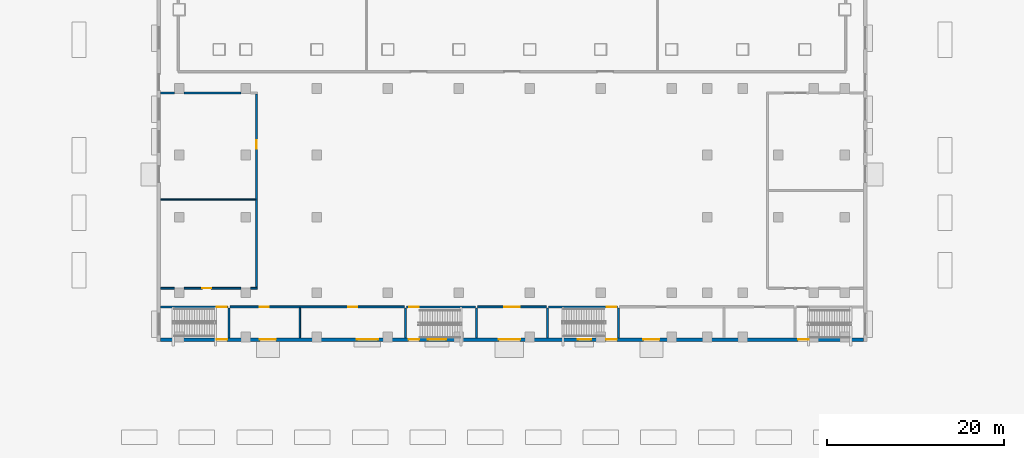
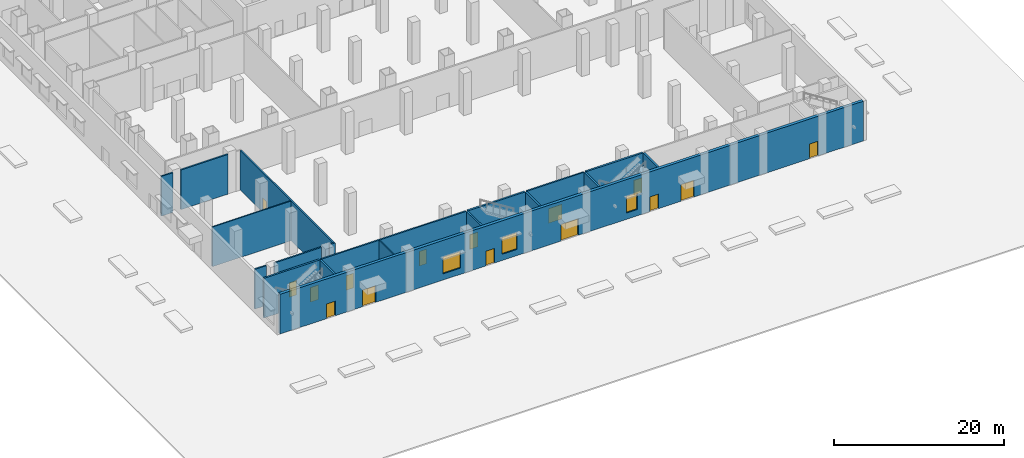
# One storey, part 3 of 18: 19 walls, 15 doors, 3 windows, 18 openings.
"""IFC4 building model written with IfcOpenShell, lengths in metres."""

from ifc_helpers import new_model, si_unit, direction, frame, frame_2d, origin, place, context, subcontext, project, spatial, rectangle, extrude, material, layer, layer_set, type_object, element, fill, save


model = new_model("IFC4")

# Units and contexts
model_context = context("Model", 3, precision=1e-05, world=origin(), true_north=direction((0.0, 1.0)))
body_context = subcontext(model_context, "Body", "Model", "MODEL_VIEW")
ifc_project = project(units=[si_unit("LENGTHUNIT", "METRE"), si_unit("AREAUNIT", "SQUARE_METRE"), si_unit("VOLUMEUNIT", "CUBIC_METRE"), si_unit("PLANEANGLEUNIT", "RADIAN"), si_unit("MASSUNIT", "GRAM", prefix="KILO")], contexts=[model_context])

# Site, building, storey
site_placement = place(None, origin())
site = spatial("IfcSite", under=ifc_project, at=site_placement, CompositionType="ELEMENT")
building_placement = place(site_placement, origin())
building = spatial("IfcBuilding", under=site, at=building_placement, Name="Vidyagriha Tower", CompositionType="ELEMENT")
storey_placement = place(building_placement, origin())
storey = spatial("IfcBuildingStorey", under=building, at=storey_placement, Name="L00", CompositionType="ELEMENT", Elevation=0.0)

# Wall, openings, doors, windows
ifc_material_1 = material(Name="Concrete C40/50 board-marked with brick facing", Category="concrete")
ifc_layer_1 = layer(ifc_material_1, 0.39990234375)
ifc_layer_set_1 = layer_set([ifc_layer_1], Name="Concrete C40/50 board-marked with brick facing")
wall_type_1 = type_object("IfcWallType", Name="Brick-faced board-marked concrete podium wall 400", PredefinedType="STANDARD", material=ifc_layer_set_1)
wall_1_placement = place(storey_placement, frame((-39.60009765625, -49.800048828125, 0.0)))
wall_1 = element("IfcWall", 1, at=wall_1_placement, inside=storey, type_object=wall_type_1, Name="Podium wall L00 R06", PredefinedType="STANDARD", context=body_context, shape_type="SweptSolid", body=[
    extrude(rectangle(XDim=79.2001953125, YDim=0.39990234375, at=frame_2d((39.60009765625, 0.0))), origin(), (0.0, 0.0, 1.0), 5.699951171875),
])
opening_1_placement = place(wall_1_placement, frame((11.199951171875, 0.0, 0.0)))
opening_1 = element("IfcOpeningElement", 2, at=opening_1_placement, cuts=wall_1, Name="Opening D00-05", PredefinedType="OPENING", context=body_context, shape_type="SweptSolid", body=[
    extrude(rectangle(XDim=1.800048828125, YDim=2.39990234375, at=frame_2d((0.89990234375, 1.199951171875))), frame((0.0, 0.2099609375, 0.0), z_axis=(0.0, -1.0, 0.0), x_axis=(1.0, 0.0, 0.0)), (0.0, 0.0, 1.0), 0.419921875),
])
opening_2_placement = place(wall_1_placement, frame((38.110107421875, 0.0, 0.0)))
opening_2 = element("IfcOpeningElement", 3, at=opening_2_placement, cuts=wall_1, Name="Opening D00-06", PredefinedType="OPENING", context=body_context, shape_type="SweptSolid", body=[
    extrude(rectangle(XDim=2.39990234375, YDim=2.39990234375, at=frame_2d((1.199951171875, 1.199951171875))), frame((0.0, 0.2099609375, 0.0), z_axis=(0.0, -1.0, 0.0), x_axis=(1.0, 0.0, 0.0)), (0.0, 0.0, 1.0), 0.419921875),
])
opening_3_placement = place(wall_1_placement, frame((54.409912109375, 0.0, 0.0)))
opening_3 = element("IfcOpeningElement", 4, at=opening_3_placement, cuts=wall_1, Name="Opening D00-07", PredefinedType="OPENING", context=body_context, shape_type="SweptSolid", body=[
    extrude(rectangle(XDim=1.800048828125, YDim=2.39990234375, at=frame_2d((0.89990234375, 1.199951171875))), frame((0.0, 0.2099609375, 0.0), z_axis=(0.0, -1.0, 0.0), x_axis=(1.0, 0.0, 0.0)), (0.0, 0.0, 1.0), 0.419921875),
])
opening_4_placement = place(wall_1_placement, frame((22.110107421875, 0.0, 0.89990234375)))
opening_4 = element("IfcOpeningElement", 5, at=opening_4_placement, cuts=wall_1, Name="Opening WN4", PredefinedType="OPENING", context=body_context, shape_type="SweptSolid", body=[
    extrude(rectangle(XDim=2.39990234375, YDim=2.39990234375, at=frame_2d((1.199951171875, 1.199951171875))), frame((0.0, 0.2099609375, 0.0), z_axis=(0.0, -1.0, 0.0), x_axis=(1.0, 0.0, 0.0)), (0.0, 0.0, 1.0), 0.419921875),
])
opening_5_placement = place(wall_1_placement, frame((30.110107421875, 0.0, 0.89990234375)))
opening_5 = element("IfcOpeningElement", 6, at=opening_5_placement, cuts=wall_1, Name="Opening WN5", PredefinedType="OPENING", context=body_context, shape_type="SweptSolid", body=[
    extrude(rectangle(XDim=2.074951171875, YDim=2.39990234375, at=frame_2d((1.03759765625, 1.199951171875))), frame((0.0, 0.2099609375, 0.0), z_axis=(0.0, -1.0, 0.0), x_axis=(1.0, 0.0, 0.0)), (0.0, 0.0, 1.0), 0.419921875),
])
opening_6_placement = place(wall_1_placement, frame((47.014892578125, 0.0, 0.89990234375)))
opening_6 = element("IfcOpeningElement", 7, at=opening_6_placement, cuts=wall_1, Name="Opening WN6", PredefinedType="OPENING", context=body_context, shape_type="SweptSolid", body=[
    extrude(rectangle(XDim=1.4951171875, YDim=2.39990234375, at=frame_2d((0.74755859375, 1.199951171875))), frame((0.0, 0.2099609375, 0.0), z_axis=(0.0, -1.0, 0.0), x_axis=(1.0, 0.0, 0.0)), (0.0, 0.0, 1.0), 0.419921875),
])
opening_7_placement = place(wall_1_placement, frame((6.304931640625, 0.0, 0.0)))
opening_7 = element("IfcOpeningElement", 8, at=opening_7_placement, cuts=wall_1, Name="Opening D00-62", PredefinedType="OPENING", context=body_context, shape_type="SweptSolid", body=[
    extrude(rectangle(XDim=1.199951171875, YDim=2.10009765625, at=frame_2d((0.60009765625, 1.050048828125))), frame((0.0, 0.2099609375, 0.0), z_axis=(0.0, -1.0, 0.0), x_axis=(1.0, 0.0, 0.0)), (0.0, 0.0, 1.0), 0.419921875),
])
opening_8_placement = place(wall_1_placement, frame((71.844970703125, 0.0, 0.0)))
opening_8 = element("IfcOpeningElement", 9, at=opening_8_placement, cuts=wall_1, Name="Opening D00-63", PredefinedType="OPENING", context=body_context, shape_type="SweptSolid", body=[
    extrude(rectangle(XDim=1.199951171875, YDim=2.10009765625, at=frame_2d((0.60009765625, 1.050048828125))), frame((0.0, 0.2099609375, 0.0), z_axis=(0.0, -1.0, 0.0), x_axis=(1.0, 0.0, 0.0)), (0.0, 0.0, 1.0), 0.419921875),
])
opening_9_placement = place(wall_1_placement, frame((27.945068359375, 0.0, 0.0)))
opening_9 = element("IfcOpeningElement", 10, at=opening_9_placement, cuts=wall_1, Name="Opening D00-64", PredefinedType="OPENING", context=body_context, shape_type="SweptSolid", body=[
    extrude(rectangle(XDim=1.199951171875, YDim=2.10009765625, at=frame_2d((0.60009765625, 1.050048828125))), frame((0.0, 0.2099609375, 0.0), z_axis=(0.0, -1.0, 0.0), x_axis=(1.0, 0.0, 0.0)), (0.0, 0.0, 1.0), 0.419921875),
])
opening_10_placement = place(wall_1_placement, frame((50.205078125, 0.0, 0.0)))
opening_10 = element("IfcOpeningElement", 11, at=opening_10_placement, cuts=wall_1, Name="Opening D00-65", PredefinedType="OPENING", context=body_context, shape_type="SweptSolid", body=[
    extrude(rectangle(XDim=1.199951171875, YDim=2.10009765625, at=frame_2d((0.60009765625, 1.050048828125))), frame((0.0, 0.2099609375, 0.0), z_axis=(0.0, -1.0, 0.0), x_axis=(1.0, 0.0, 0.0)), (0.0, 0.0, 1.0), 0.419921875),
])
ifc_material_2 = material(Name="Aluminium and glass door", Category="aluminium")
door_type_1 = type_object("IfcDoorType", Name="Entrance double leaf glazed door 1800x2400", OperationType="NOTDEFINED", PredefinedType="DOOR", material=ifc_material_2)
door_1_placement = place(opening_1_placement, frame((1.800048828125, 0.0, 0.0), z_axis=(0.0, 0.0, 1.0), x_axis=(-1.0, 0.0, 0.0)))
door_1 = element("IfcDoor", 12, at=door_1_placement, inside=storey, type_object=door_type_1, Name="School entrance D00-05", OperationType="DOUBLE_DOOR_SINGLE_SWING", OverallHeight=2.39990234375, OverallWidth=1.800048828125, PredefinedType="DOOR", context=body_context, shape_type="SweptSolid", body=[
    extrude(rectangle(XDim=1.800048828125, YDim=2.39990234375, at=frame_2d((0.89990234375, 1.199951171875))), frame((0.0, 0.02490234375, 0.0), z_axis=(0.0, -1.0, 0.0), x_axis=(1.0, 0.0, 0.0)), (0.0, 0.0, 1.0), 0.050048828125),
])
fill(opening_1, door_1)
door_2_placement = place(opening_3_placement, frame((1.800048828125, 0.0, 0.0), z_axis=(0.0, 0.0, 1.0), x_axis=(-1.0, 0.0, 0.0)))
door_2 = element("IfcDoor", 13, at=door_2_placement, inside=storey, type_object=door_type_1, Name="Family entrance D00-07", OperationType="DOUBLE_DOOR_SINGLE_SWING", OverallHeight=2.39990234375, OverallWidth=1.800048828125, PredefinedType="DOOR", context=body_context, shape_type="SweptSolid", body=[
    extrude(rectangle(XDim=1.800048828125, YDim=2.39990234375, at=frame_2d((0.89990234375, 1.199951171875))), frame((0.0, 0.02490234375, 0.0), z_axis=(0.0, -1.0, 0.0), x_axis=(1.0, 0.0, 0.0)), (0.0, 0.0, 1.0), 0.050048828125),
])
fill(opening_3, door_2)
ifc_material_3 = material(Name="Aluminium and glass door", Category="aluminium")
door_type_2 = type_object("IfcDoorType", Name="Entrance double leaf glazed door 2400x2400", OperationType="NOTDEFINED", PredefinedType="DOOR", material=ifc_material_3)
door_3_placement = place(opening_2_placement, frame((2.39990234375, 0.0, 0.0), z_axis=(0.0, 0.0, 1.0), x_axis=(-1.0, 0.0, 0.0)))
door_3 = element("IfcDoor", 14, at=door_3_placement, inside=storey, type_object=door_type_2, Name="Main entrance D00-06", OperationType="DOUBLE_DOOR_SINGLE_SWING", OverallHeight=2.39990234375, OverallWidth=2.39990234375, PredefinedType="DOOR", context=body_context, shape_type="SweptSolid", body=[
    extrude(rectangle(XDim=2.39990234375, YDim=2.39990234375, at=frame_2d((1.199951171875, 1.199951171875))), frame((0.0, 0.02490234375, 0.0), z_axis=(0.0, -1.0, 0.0), x_axis=(1.0, 0.0, 0.0)), (0.0, 0.0, 1.0), 0.050048828125),
])
fill(opening_2, door_3)
ifc_material_4 = material(Name="Aluminium and glass window", Category="aluminium")
window_type_1 = type_object("IfcWindowType", Name="Ground storey school window 1495x2400", PartitioningType="NOTDEFINED", PredefinedType="WINDOW", material=ifc_material_4)
window_1_placement = place(opening_6_placement, origin())
window_1 = element("IfcWindow", 15, at=window_1_placement, inside=storey, type_object=window_type_1, Name="School window L00 R06.26", OverallHeight=2.39990234375, OverallWidth=1.4951171875, PartitioningType="SINGLE_PANEL", PredefinedType="WINDOW", context=body_context, shape_type="SweptSolid", body=[
    extrude(rectangle(XDim=1.4951171875, YDim=2.39990234375, at=frame_2d((0.74755859375, 1.199951171875))), frame((0.0, 0.030029296875, 0.0), z_axis=(0.0, -1.0, 0.0), x_axis=(1.0, 0.0, 0.0)), (0.0, 0.0, 1.0), 0.06005859375),
])
fill(opening_6, window_1)
ifc_material_5 = material(Name="Aluminium and glass window", Category="aluminium")
window_type_2 = type_object("IfcWindowType", Name="Ground storey school window 2075x2400", PartitioningType="NOTDEFINED", PredefinedType="WINDOW", material=ifc_material_5)
window_2_placement = place(opening_5_placement, origin())
window_2 = element("IfcWindow", 16, at=window_2_placement, inside=storey, type_object=window_type_2, Name="School window L00 R06.18", OverallHeight=2.39990234375, OverallWidth=2.074951171875, PartitioningType="SINGLE_PANEL", PredefinedType="WINDOW", context=body_context, shape_type="SweptSolid", body=[
    extrude(rectangle(XDim=2.074951171875, YDim=2.39990234375, at=frame_2d((1.03759765625, 1.199951171875))), frame((0.0, 0.030029296875, 0.0), z_axis=(0.0, -1.0, 0.0), x_axis=(1.0, 0.0, 0.0)), (0.0, 0.0, 1.0), 0.06005859375),
])
fill(opening_5, window_2)
ifc_material_6 = material(Name="Aluminium and glass window", Category="aluminium")
window_type_3 = type_object("IfcWindowType", Name="Ground storey school window 2400x2400", PartitioningType="NOTDEFINED", PredefinedType="WINDOW", material=ifc_material_6)
window_3_placement = place(opening_4_placement, origin())
window_3 = element("IfcWindow", 17, at=window_3_placement, inside=storey, type_object=window_type_3, Name="School window L00 R06.14", OverallHeight=2.39990234375, OverallWidth=2.39990234375, PartitioningType="SINGLE_PANEL", PredefinedType="WINDOW", context=body_context, shape_type="SweptSolid", body=[
    extrude(rectangle(XDim=2.39990234375, YDim=2.39990234375, at=frame_2d((1.199951171875, 1.199951171875))), frame((0.0, 0.030029296875, 0.0), z_axis=(0.0, -1.0, 0.0), x_axis=(1.0, 0.0, 0.0)), (0.0, 0.0, 1.0), 0.06005859375),
])
fill(opening_4, window_3)
ifc_material_7 = material(Name="Steel fire door set", Category="steel")
door_type_3 = type_object("IfcDoorType", Name="Podium Door 1200x2100 EI 90", OperationType="NOTDEFINED", PredefinedType="DOOR", material=ifc_material_7)
door_4_placement = place(opening_7_placement, frame((1.199951171875, 0.0, 0.0), z_axis=(0.0, 0.0, 1.0), x_axis=(-1.0, 0.0, 0.0)))
door_4 = element("IfcDoor", 18, at=door_4_placement, inside=storey, type_object=door_type_3, Name="L00 Exit discharge PS1 D00-62", OperationType="SINGLE_SWING_LEFT", OverallHeight=2.10009765625, OverallWidth=1.199951171875, PredefinedType="DOOR", context=body_context, shape_type="SweptSolid", body=[
    extrude(rectangle(XDim=1.199951171875, YDim=2.10009765625, at=frame_2d((0.60009765625, 1.050048828125))), frame((0.0, 0.02490234375, 0.0), z_axis=(0.0, -1.0, 0.0), x_axis=(1.0, 0.0, 0.0)), (0.0, 0.0, 1.0), 0.050048828125),
])
fill(opening_7, door_4)
door_5_placement = place(opening_8_placement, frame((1.199951171875, 0.0, 0.0), z_axis=(0.0, 0.0, 1.0), x_axis=(-1.0, 0.0, 0.0)))
door_5 = element("IfcDoor", 19, at=door_5_placement, inside=storey, type_object=door_type_3, Name="L00 Exit discharge PS2 D00-63", OperationType="SINGLE_SWING_LEFT", OverallHeight=2.10009765625, OverallWidth=1.199951171875, PredefinedType="DOOR", context=body_context, shape_type="SweptSolid", body=[
    extrude(rectangle(XDim=1.199951171875, YDim=2.10009765625, at=frame_2d((0.60009765625, 1.050048828125))), frame((0.0, 0.02490234375, 0.0), z_axis=(0.0, -1.0, 0.0), x_axis=(1.0, 0.0, 0.0)), (0.0, 0.0, 1.0), 0.050048828125),
])
fill(opening_8, door_5)
door_6_placement = place(opening_9_placement, frame((1.199951171875, 0.0, 0.0), z_axis=(0.0, 0.0, 1.0), x_axis=(-1.0, 0.0, 0.0)))
door_6 = element("IfcDoor", 20, at=door_6_placement, inside=storey, type_object=door_type_3, Name="L00 Exit discharge PS3 D00-64", OperationType="SINGLE_SWING_LEFT", OverallHeight=2.10009765625, OverallWidth=1.199951171875, PredefinedType="DOOR", context=body_context, shape_type="SweptSolid", body=[
    extrude(rectangle(XDim=1.199951171875, YDim=2.10009765625, at=frame_2d((0.60009765625, 1.050048828125))), frame((0.0, 0.02490234375, 0.0), z_axis=(0.0, -1.0, 0.0), x_axis=(1.0, 0.0, 0.0)), (0.0, 0.0, 1.0), 0.050048828125),
])
fill(opening_9, door_6)
door_7_placement = place(opening_10_placement, frame((1.199951171875, 0.0, 0.0), z_axis=(0.0, 0.0, 1.0), x_axis=(-1.0, 0.0, 0.0)))
door_7 = element("IfcDoor", 21, at=door_7_placement, inside=storey, type_object=door_type_3, Name="L00 Exit discharge PS4 D00-65", OperationType="SINGLE_SWING_LEFT", OverallHeight=2.10009765625, OverallWidth=1.199951171875, PredefinedType="DOOR", context=body_context, shape_type="SweptSolid", body=[
    extrude(rectangle(XDim=1.199951171875, YDim=2.10009765625, at=frame_2d((0.60009765625, 1.050048828125))), frame((0.0, 0.02490234375, 0.0), z_axis=(0.0, -1.0, 0.0), x_axis=(1.0, 0.0, 0.0)), (0.0, 0.0, 1.0), 0.050048828125),
])
fill(opening_10, door_7)

# Wall, opening, door
ifc_material_8 = material(Name="Concrete C32/40", Category="concrete")
ifc_layer_2 = layer(ifc_material_8, 0.25)
ifc_layer_set_2 = layer_set([ifc_layer_2], Name="Concrete C32/40")
wall_type_2 = type_object("IfcWallType", Name="Concrete Stair Enclosure Wall 250", PredefinedType="SOLIDWALL", material=ifc_layer_set_2)
wall_2_placement = place(storey_placement, frame((-39.60009765625, -46.10009765625, 0.0)))
wall_2 = element("IfcWall", 22, at=wall_2_placement, inside=storey, type_object=wall_type_2, Name="L00 Concrete Stair Enclosure Wall 250 003", PredefinedType="SOLIDWALL", context=body_context, shape_type="SweptSolid", body=[
    extrude(rectangle(XDim=7.5751953125, YDim=0.25, at=frame_2d((3.78759765625, 0.0))), origin(), (0.0, 0.0, 1.0), 5.699951171875),
])
opening_11_placement = place(wall_2_placement, frame((6.35498046875, 0.0, 0.0)))
opening_11 = element("IfcOpeningElement", 23, at=opening_11_placement, cuts=wall_2, Name="Opening D00-58", PredefinedType="OPENING", context=body_context, shape_type="SweptSolid", body=[
    extrude(rectangle(XDim=1.10009765625, YDim=2.10009765625, at=frame_2d((0.550048828125, 1.050048828125))), frame((0.0, 0.135009765625, 0.0), z_axis=(0.0, -1.0, 0.0), x_axis=(1.0, 0.0, 0.0)), (0.0, 0.0, 1.0), 0.27001953125),
])
ifc_material_9 = material(Name="Steel fire door set", Category="steel")
door_type_4 = type_object("IfcDoorType", Name="Podium Door 1100x2100 EI 90", OperationType="NOTDEFINED", PredefinedType="DOOR", material=ifc_material_9)
door_8_placement = place(opening_11_placement, origin())
door_8 = element("IfcDoor", 24, at=door_8_placement, inside=storey, type_object=door_type_4, Name="L00 door D00-58", OperationType="SINGLE_SWING_RIGHT", OverallHeight=2.10009765625, OverallWidth=1.10009765625, PredefinedType="DOOR", context=body_context, shape_type="SweptSolid", body=[
    extrude(rectangle(XDim=1.10009765625, YDim=2.10009765625, at=frame_2d((0.550048828125, 1.050048828125))), frame((0.0, 0.02490234375, 0.0), z_axis=(0.0, -1.0, 0.0), x_axis=(1.0, 0.0, 0.0)), (0.0, 0.0, 1.0), 0.050048828125),
])
fill(opening_11, door_8)

wall_3_placement = place(storey_placement, frame((-11.875, -46.10009765625, 0.0)))
wall_3 = element("IfcWall", 25, at=wall_3_placement, inside=storey, type_object=wall_type_2, Name="L00 Concrete Stair Enclosure Wall 250 004", PredefinedType="SOLIDWALL", context=body_context, shape_type="SweptSolid", body=[
    extrude(rectangle(XDim=7.75, YDim=0.25, at=frame_2d((3.875, 0.0))), origin(), (0.0, 0.0, 1.0), 5.699951171875),
])
opening_12_placement = place(wall_3_placement, frame((0.27001953125, 0.0, 0.0)))
opening_12 = element("IfcOpeningElement", 26, at=opening_12_placement, cuts=wall_3, Name="Opening D00-60", PredefinedType="OPENING", context=body_context, shape_type="SweptSolid", body=[
    extrude(rectangle(XDim=1.10009765625, YDim=2.10009765625, at=frame_2d((0.550048828125, 1.050048828125))), frame((0.0, 0.135009765625, 0.0), z_axis=(0.0, -1.0, 0.0), x_axis=(1.0, 0.0, 0.0)), (0.0, 0.0, 1.0), 0.27001953125),
])
door_9_placement = place(opening_12_placement, origin())
door_9 = element("IfcDoor", 27, at=door_9_placement, inside=storey, type_object=door_type_4, Name="L00 door D00-60", OperationType="SINGLE_SWING_LEFT", OverallHeight=2.10009765625, OverallWidth=1.10009765625, PredefinedType="DOOR", context=body_context, shape_type="SweptSolid", body=[
    extrude(rectangle(XDim=1.10009765625, YDim=2.10009765625, at=frame_2d((0.550048828125, 1.050048828125))), frame((0.0, 0.02490234375, 0.0), z_axis=(0.0, -1.0, 0.0), x_axis=(1.0, 0.0, 0.0)), (0.0, 0.0, 1.0), 0.050048828125),
])
fill(opening_12, door_9)

wall_4_placement = place(storey_placement, frame((4.125, -46.10009765625, 0.0)))
wall_4 = element("IfcWall", 28, at=wall_4_placement, inside=storey, type_object=wall_type_2, Name="L00 Concrete Stair Enclosure Wall 250 005", PredefinedType="SOLIDWALL", context=body_context, shape_type="SweptSolid", body=[
    extrude(rectangle(XDim=7.75, YDim=0.25, at=frame_2d((3.875, 0.0))), origin(), (0.0, 0.0, 1.0), 5.699951171875),
])
opening_13_placement = place(wall_4_placement, frame((6.530029296875, 0.0, 0.0)))
opening_13 = element("IfcOpeningElement", 29, at=opening_13_placement, cuts=wall_4, Name="Opening D00-61", PredefinedType="OPENING", context=body_context, shape_type="SweptSolid", body=[
    extrude(rectangle(XDim=1.10009765625, YDim=2.10009765625, at=frame_2d((0.550048828125, 1.050048828125))), frame((0.0, 0.135009765625, 0.0), z_axis=(0.0, -1.0, 0.0), x_axis=(1.0, 0.0, 0.0)), (0.0, 0.0, 1.0), 0.27001953125),
])
door_10_placement = place(opening_13_placement, origin())
door_10 = element("IfcDoor", 30, at=door_10_placement, inside=storey, type_object=door_type_4, Name="L00 door D00-61", OperationType="SINGLE_SWING_RIGHT", OverallHeight=2.10009765625, OverallWidth=1.10009765625, PredefinedType="DOOR", context=body_context, shape_type="SweptSolid", body=[
    extrude(rectangle(XDim=1.10009765625, YDim=2.10009765625, at=frame_2d((0.550048828125, 1.050048828125))), frame((0.0, 0.02490234375, 0.0), z_axis=(0.0, -1.0, 0.0), x_axis=(1.0, 0.0, 0.0)), (0.0, 0.0, 1.0), 0.050048828125),
])
fill(opening_13, door_10)

# Walls
for number, where, z_axis, x_axis, name in (
    (31, (-31.89990234375, -49.60009765625, 0.0), (0.0, 0.0, 1.0), (0.0, 1.0, 0.0), "L00 Concrete Stair Enclosure Wall 250 051"),
    (32, (-12.0, -49.60009765625, 0.0), (0.0, 0.0, 1.0), (0.0, 1.0, 0.0), "L00 Concrete Stair Enclosure Wall 250 063"),
    (33, (-4.0, -49.60009765625, 0.0), (0.0, 0.0, 1.0), (0.0, 1.0, 0.0), "L00 Concrete Stair Enclosure Wall 250 064"),
    (34, (4.0, -49.60009765625, 0.0), (0.0, 0.0, 1.0), (0.0, 1.0, 0.0), "L00 Concrete Stair Enclosure Wall 250 065"),
    (35, (12.0, -49.60009765625, 0.0), (0.0, 0.0, 1.0), (0.0, 1.0, 0.0), "L00 Concrete Stair Enclosure Wall 250 066"),
):
    element("IfcWall", number, at=place(storey_placement, frame(where, z_axis=z_axis, x_axis=x_axis)), inside=storey, type_object=wall_type_2, Name=name, PredefinedType="SOLIDWALL", context=body_context, shape_type="SweptSolid", body=[
        extrude(rectangle(XDim=3.375, YDim=0.25, at=frame_2d((1.6875, 0.0))), origin(), (0.0, 0.0, 1.0), 5.699951171875),
    ])

# Wall, openings, doors
ifc_material_10 = material(Name="Fire rated gypsum board on light gauge framing")
ifc_layer_3 = layer(ifc_material_10, 0.199951171875)
ifc_layer_set_3 = layer_set([ifc_layer_3], Name="Fire rated gypsum board on light gauge framing")
wall_type_3 = type_object("IfcWallType", Name="Fire Rated Corridor Wall 200", PredefinedType="PARTITIONING", material=ifc_layer_set_3)
wall_5_placement = place(storey_placement, frame((-31.77490234375, -46.10009765625, 0.0)))
wall_5 = element("IfcWall", 36, at=wall_5_placement, inside=storey, type_object=wall_type_3, Name="L00 Fire Rated Corridor Wall 200 000", PredefinedType="PARTITIONING", context=body_context, shape_type="SweptSolid", body=[
    extrude(rectangle(XDim=19.64990234375, YDim=0.199951171875, at=frame_2d((9.824951171875, 0.0))), origin(), (0.0, 0.0, 1.0), 5.699951171875),
])
opening_14_placement = place(wall_5_placement, frame((3.375, 0.0, 0.0)))
opening_14 = element("IfcOpeningElement", 37, at=opening_14_placement, cuts=wall_5, Name="Opening D00-24", PredefinedType="OPENING", context=body_context, shape_type="SweptSolid", body=[
    extrude(rectangle(XDim=1.0, YDim=2.10009765625, at=frame_2d((0.5, 1.050048828125))), frame((0.0, 0.10986328125, 0.0), z_axis=(0.0, -1.0, 0.0), x_axis=(1.0, 0.0, 0.0)), (0.0, 0.0, 1.0), 0.219970703125),
])
opening_15_placement = place(wall_5_placement, frame((13.324951171875, 0.0, 0.0)))
opening_15 = element("IfcOpeningElement", 38, at=opening_15_placement, cuts=wall_5, Name="Opening D00-25", PredefinedType="OPENING", context=body_context, shape_type="SweptSolid", body=[
    extrude(rectangle(XDim=1.0, YDim=2.10009765625, at=frame_2d((0.5, 1.050048828125))), frame((0.0, 0.10986328125, 0.0), z_axis=(0.0, -1.0, 0.0), x_axis=(1.0, 0.0, 0.0)), (0.0, 0.0, 1.0), 0.219970703125),
])
ifc_material_11 = material(Name="Steel fire door set", Category="steel")
door_type_5 = type_object("IfcDoorType", Name="Podium Door 1000x2100 EI 30", OperationType="NOTDEFINED", PredefinedType="DOOR", material=ifc_material_11)
door_11_placement = place(opening_14_placement, frame((1.0, 0.0, 0.0), z_axis=(0.0, 0.0, 1.0), x_axis=(-1.0, 0.0, 0.0)))
door_11 = element("IfcDoor", 39, at=door_11_placement, inside=storey, type_object=door_type_5, Name="L00 door D00-24", OperationType="SINGLE_SWING_LEFT", OverallHeight=2.10009765625, OverallWidth=1.0, PredefinedType="DOOR", context=body_context, shape_type="SweptSolid", body=[
    extrude(rectangle(XDim=1.0, YDim=2.10009765625, at=frame_2d((0.5, 1.050048828125))), frame((0.0, 0.02490234375, 0.0), z_axis=(0.0, -1.0, 0.0), x_axis=(1.0, 0.0, 0.0)), (0.0, 0.0, 1.0), 0.050048828125),
])
fill(opening_14, door_11)
door_12_placement = place(opening_15_placement, frame((1.0, 0.0, 0.0), z_axis=(0.0, 0.0, 1.0), x_axis=(-1.0, 0.0, 0.0)))
door_12 = element("IfcDoor", 40, at=door_12_placement, inside=storey, type_object=door_type_5, Name="L00 door D00-25", OperationType="SINGLE_SWING_RIGHT", OverallHeight=2.10009765625, OverallWidth=1.0, PredefinedType="DOOR", context=body_context, shape_type="SweptSolid", body=[
    extrude(rectangle(XDim=1.0, YDim=2.10009765625, at=frame_2d((0.5, 1.050048828125))), frame((0.0, 0.02490234375, 0.0), z_axis=(0.0, -1.0, 0.0), x_axis=(1.0, 0.0, 0.0)), (0.0, 0.0, 1.0), 0.050048828125),
])
fill(opening_15, door_12)

# Wall, opening, door
wall_6_placement = place(storey_placement, frame((-3.875, -46.10009765625, 0.0)))
wall_6 = element("IfcWall", 41, at=wall_6_placement, inside=storey, type_object=wall_type_3, Name="L00 Fire Rated Corridor Wall 200 001", PredefinedType="PARTITIONING", context=body_context, shape_type="SweptSolid", body=[
    extrude(rectangle(XDim=7.75, YDim=0.199951171875, at=frame_2d((3.875, 0.0))), origin(), (0.0, 0.0, 1.0), 5.699951171875),
])
opening_16_placement = place(wall_6_placement, frame((2.97509765625, 0.0, 0.0)))
opening_16 = element("IfcOpeningElement", 42, at=opening_16_placement, cuts=wall_6, Name="Opening D00-42", PredefinedType="OPENING", context=body_context, shape_type="SweptSolid", body=[
    extrude(rectangle(XDim=1.800048828125, YDim=2.10009765625, at=frame_2d((0.89990234375, 1.050048828125))), frame((0.0, 0.10986328125, 0.0), z_axis=(0.0, -1.0, 0.0), x_axis=(1.0, 0.0, 0.0)), (0.0, 0.0, 1.0), 0.219970703125),
])
ifc_material_12 = material(Name="Painted hardwood door set", Category="wood")
door_type_6 = type_object("IfcDoorType", Name="Podium Door 1800x2100 NOT RATED Pair", OperationType="NOTDEFINED", PredefinedType="DOOR", material=ifc_material_12)
door_13_placement = place(opening_16_placement, origin())
door_13 = element("IfcDoor", 43, at=door_13_placement, inside=storey, type_object=door_type_6, Name="L00 door D00-42", OperationType="DOUBLE_DOOR_SINGLE_SWING", OverallHeight=2.10009765625, OverallWidth=1.800048828125, PredefinedType="DOOR", context=body_context, shape_type="SweptSolid", body=[
    extrude(rectangle(XDim=1.800048828125, YDim=2.10009765625, at=frame_2d((0.89990234375, 1.050048828125))), frame((0.0, 0.02490234375, 0.0), z_axis=(0.0, -1.0, 0.0), x_axis=(1.0, 0.0, 0.0)), (0.0, 0.0, 1.0), 0.050048828125),
])
fill(opening_16, door_13)

# Wall
wall_7_placement = place(storey_placement, frame((-39.60009765625, -44.0, 0.0)))
element("IfcWall", 44, at=wall_7_placement, inside=storey, type_object=wall_type_3, Name="L00 Fire Rated Corridor Wall 200 007", PredefinedType="PARTITIONING", context=body_context, shape_type="SweptSolid", body=[
    extrude(rectangle(XDim=1.550048828125, YDim=0.199951171875, at=frame_2d((0.77490234375, 0.0))), origin(), (0.0, 0.0, 1.0), 5.699951171875),
])

# Wall, opening, door
wall_8_placement = place(storey_placement, frame((-36.949951171875, -44.0, 0.0)))
wall_8 = element("IfcWall", 45, at=wall_8_placement, inside=storey, type_object=wall_type_3, Name="L00 Fire Rated Corridor Wall 200 008", PredefinedType="PARTITIONING", context=body_context, shape_type="SweptSolid", body=[
    extrude(rectangle(XDim=6.39990234375, YDim=0.199951171875, at=frame_2d((3.199951171875, 0.0))), origin(), (0.0, 0.0, 1.0), 5.699951171875),
])
opening_17_placement = place(wall_8_placement, frame((2.050048828125, 0.0, 0.0)))
opening_17 = element("IfcOpeningElement", 46, at=opening_17_placement, cuts=wall_8, Name="Opening D00-22", PredefinedType="OPENING", context=body_context, shape_type="SweptSolid", body=[
    extrude(rectangle(XDim=1.0, YDim=2.10009765625, at=frame_2d((0.5, 1.050048828125))), frame((0.0, 0.10986328125, 0.0), z_axis=(0.0, -1.0, 0.0), x_axis=(1.0, 0.0, 0.0)), (0.0, 0.0, 1.0), 0.219970703125),
])
door_14_placement = place(opening_17_placement, origin())
door_14 = element("IfcDoor", 47, at=door_14_placement, inside=storey, type_object=door_type_5, Name="L00 door D00-22", OperationType="SINGLE_SWING_LEFT", OverallHeight=2.10009765625, OverallWidth=1.0, PredefinedType="DOOR", context=body_context, shape_type="SweptSolid", body=[
    extrude(rectangle(XDim=1.0, YDim=2.10009765625, at=frame_2d((0.5, 1.050048828125))), frame((0.0, 0.02490234375, 0.0), z_axis=(0.0, -1.0, 0.0), x_axis=(1.0, 0.0, 0.0)), (0.0, 0.0, 1.0), 0.050048828125),
])
fill(opening_17, door_14)

# Walls
wall_9_placement = place(storey_placement, frame((-29.449951171875, -44.0, 0.0)))
element("IfcWall", 48, at=wall_9_placement, inside=storey, type_object=wall_type_3, Name="L00 Fire Rated Corridor Wall 200 009", PredefinedType="PARTITIONING", context=body_context, shape_type="SweptSolid", body=[
    extrude(rectangle(XDim=0.75, YDim=0.199951171875, at=frame_2d((0.375, 0.0))), origin(), (0.0, 0.0, 1.0), 5.699951171875),
])
wall_10_placement = place(storey_placement, frame((-39.60009765625, -22.0, 0.0)))
element("IfcWall", 49, at=wall_10_placement, inside=storey, type_object=wall_type_3, Name="L00 Fire Rated Corridor Wall 200 015", PredefinedType="PARTITIONING", context=body_context, shape_type="SweptSolid", body=[
    extrude(rectangle(XDim=1.550048828125, YDim=0.199951171875, at=frame_2d((0.77490234375, 0.0))), origin(), (0.0, 0.0, 1.0), 5.699951171875),
])
wall_11_placement = place(storey_placement, frame((-36.949951171875, -22.0, 0.0)))
element("IfcWall", 50, at=wall_11_placement, inside=storey, type_object=wall_type_3, Name="L00 Fire Rated Corridor Wall 200 016", PredefinedType="PARTITIONING", context=body_context, shape_type="SweptSolid", body=[
    extrude(rectangle(XDim=6.39990234375, YDim=0.199951171875, at=frame_2d((3.199951171875, 0.0))), origin(), (0.0, 0.0, 1.0), 5.699951171875),
])

# Wall, opening, door
wall_12_placement = place(storey_placement, frame((-28.800048828125, -43.89990234375, 0.0), z_axis=(0.0, 0.0, 1.0), x_axis=(0.0, 1.0, 0.0)))
wall_12 = element("IfcWall", 51, at=wall_12_placement, inside=storey, type_object=wall_type_3, Name="L00 Fire Rated Corridor Wall 200 054", PredefinedType="PARTITIONING", context=body_context, shape_type="SweptSolid", body=[
    extrude(rectangle(XDim=21.7998046875, YDim=0.199951171875, at=frame_2d((10.89990234375, 0.0))), origin(), (0.0, 0.0, 1.0), 5.699951171875),
])
opening_18_placement = place(wall_12_placement, frame((15.60009765625, 0.0, 0.0)))
opening_18 = element("IfcOpeningElement", 52, at=opening_18_placement, cuts=wall_12, Name="Opening D00-23", PredefinedType="OPENING", context=body_context, shape_type="SweptSolid", body=[
    extrude(rectangle(XDim=1.0, YDim=2.10009765625, at=frame_2d((0.5, 1.050048828125))), frame((0.0, 0.10986328125, 0.0), z_axis=(0.0, -1.0, 0.0), x_axis=(1.0, 0.0, 0.0)), (0.0, 0.0, 1.0), 0.219970703125),
])
door_15_placement = place(opening_18_placement, origin())
door_15 = element("IfcDoor", 53, at=door_15_placement, inside=storey, type_object=door_type_5, Name="L00 door D00-23", OperationType="SINGLE_SWING_RIGHT", OverallHeight=2.10009765625, OverallWidth=1.0, PredefinedType="DOOR", context=body_context, shape_type="SweptSolid", body=[
    extrude(rectangle(XDim=1.0, YDim=2.10009765625, at=frame_2d((0.5, 1.050048828125))), frame((0.0, 0.02490234375, 0.0), z_axis=(0.0, -1.0, 0.0), x_axis=(1.0, 0.0, 0.0)), (0.0, 0.0, 1.0), 0.050048828125),
])
fill(opening_18, door_15)

# Walls
ifc_material_13 = material(Name="Gypsum board on light gauge framing")
ifc_layer_4 = layer(ifc_material_13, 0.14990234375)
ifc_layer_set_4 = layer_set([ifc_layer_4], Name="Gypsum board on light gauge framing")
wall_type_4 = type_object("IfcWallType", Name="Gypsum Board Partition 150", PredefinedType="PARTITIONING", material=ifc_layer_set_4)
wall_13_placement = place(storey_placement, frame((-39.60009765625, -34.0, 0.0)))
element("IfcWall", 54, at=wall_13_placement, inside=storey, type_object=wall_type_4, Name="L00 Gypsum Board Partition 150 013", PredefinedType="PARTITIONING", context=body_context, shape_type="SweptSolid", body=[
    extrude(rectangle(XDim=10.7001953125, YDim=0.14990234375, at=frame_2d((5.35009765625, 0.0))), origin(), (0.0, 0.0, 1.0), 5.699951171875),
])
wall_14_placement = place(storey_placement, frame((-23.89990234375, -49.60009765625, 0.0), z_axis=(0.0, 0.0, 1.0), x_axis=(0.0, 1.0, 0.0)))
element("IfcWall", 55, at=wall_14_placement, inside=storey, type_object=wall_type_4, Name="L00 Gypsum Board Partition 150 057", PredefinedType="PARTITIONING", context=body_context, shape_type="SweptSolid", body=[
    extrude(rectangle(XDim=3.400146484375, YDim=0.14990234375, at=frame_2d((1.7001953125, 0.0))), origin(), (0.0, 0.0, 1.0), 5.699951171875),
])

save(model, "model.ifc")
